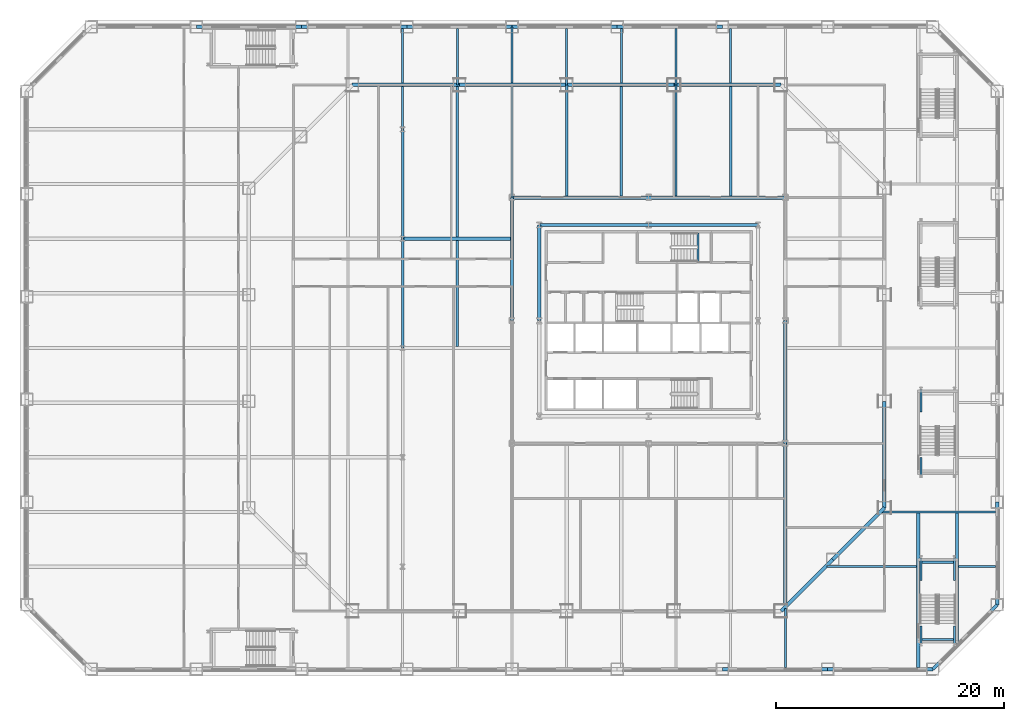
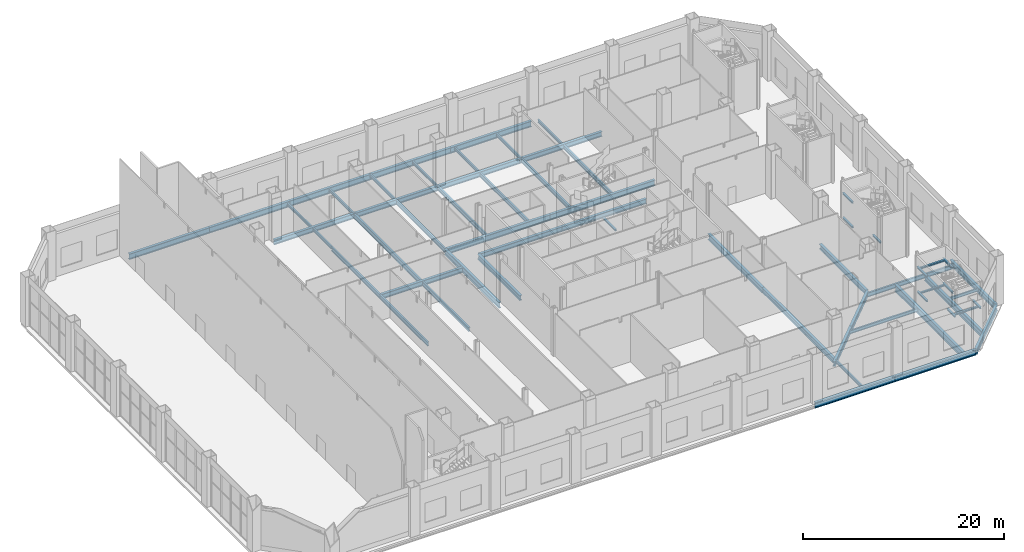
# One storey, part 12 of 31: 61 beams.
"""IFC4 building model written with IfcOpenShell, lengths in metres."""

from ifc_helpers import new_model, si_unit, direction, frame, origin, origin_2d, place, context, subcontext, project, spatial, i_section, extrude, material, material_profile, profile_set, type_object, element, save


model = new_model("IFC4")

# Units and contexts
model_context = context("Model", 3, precision=1e-05, world=origin(), true_north=direction((0.0, 1.0)))
body_context = subcontext(model_context, "Body", "Model", "MODEL_VIEW")
ifc_project = project(units=[si_unit("LENGTHUNIT", "METRE"), si_unit("AREAUNIT", "SQUARE_METRE"), si_unit("VOLUMEUNIT", "CUBIC_METRE"), si_unit("PLANEANGLEUNIT", "RADIAN"), si_unit("MASSUNIT", "GRAM", prefix="KILO")], contexts=[model_context])

# Site, building, storey
site_placement = place(None, origin())
site = spatial("IfcSite", under=ifc_project, at=site_placement, CompositionType="ELEMENT")
building_placement = place(site_placement, origin())
building = spatial("IfcBuilding", under=site, at=building_placement, Name="Cairn Pilgrim Tower", CompositionType="ELEMENT")
storey_placement = place(building_placement, frame((0.0, 0.0, 9.0)))
storey = spatial("IfcBuildingStorey", under=building, at=storey_placement, Name="L01", CompositionType="ELEMENT", Elevation=9.0)

# Beams
ifc_material = material(Name="Structural steel S355J2", Category="steel")
ifc_material_profile_1 = material_profile(ifc_material, i_section(OverallWidth=0.300048828125, OverallDepth=0.60009765625, WebThickness=0.015380859375, FlangeThickness=0.030029296875, FilletRadius=0.027099609375, at=origin_2d()), Name="HEB 600")
ifc_profile_set_1 = profile_set([ifc_material_profile_1], Name="Structural steel S355J2")
beam_type_1 = type_object("IfcBeamType", Name="PODIUM BEAM HE 600 B", PredefinedType="BEAM", material=ifc_profile_set_1)
beam_1_placement = place(storey_placement, frame((19.199951171875, -22.5751953125, -0.5), z_axis=(0.0, 1.0, 0.0), x_axis=(-1.0, 0.0, 0.0)))
element("IfcBeam", 1, at=beam_1_placement, inside=storey, type_object=beam_type_1, Name="PODIUM BEAM PB-HE600B", PredefinedType="BEAM", context=body_context, shape_type="SweptSolid", body=[
    extrude(i_section(OverallWidth=0.300048828125, OverallDepth=0.60009765625, WebThickness=0.015380859375, FlangeThickness=0.030029296875, FilletRadius=0.027099609375, at=origin_2d()), origin(), (0.0, 0.0, 1.0), 14.17529296875),
])
ifc_material_profile_2 = material_profile(ifc_material, i_section(OverallWidth=0.169921875, OverallDepth=0.360107421875, WebThickness=0.008056640625, FlangeThickness=0.0126953125, FilletRadius=0.01806640625, at=origin_2d()), Name="IPE 360")
ifc_profile_set_2 = profile_set([ifc_material_profile_2], Name="Structural steel S355J2")
beam_type_2 = type_object("IfcBeamType", Name="PODIUM BEAM IPE 360", PredefinedType="BEAM", material=ifc_profile_set_2)
beam_2_placement = place(storey_placement, frame((-14.39990234375, 19.199951171875, -0.3798828125), z_axis=(0.0, 1.0, 0.0), x_axis=(-1.0, 0.0, 0.0)))
element("IfcBeam", 2, at=beam_2_placement, inside=storey, type_object=beam_type_2, Name="PODIUM BEAM PB-IPE360", PredefinedType="BEAM", context=body_context, shape_type="SweptSolid", body=[
    extrude(i_section(OverallWidth=0.169921875, OverallDepth=0.360107421875, WebThickness=0.008056640625, FlangeThickness=0.0126953125, FilletRadius=0.01806640625, at=origin_2d()), origin(), (0.0, 0.0, 1.0), 3.748046875),
])
beam_3_placement = place(storey_placement, frame((34.422119140625, -19.199951171875, -0.3798828125), z_axis=(1.0, 0.0, 0.0), x_axis=(0.0, 1.0, 0.0)))
element("IfcBeam", 3, at=beam_3_placement, inside=storey, type_object=beam_type_2, Name="PODIUM BEAM PB-IPE360", PredefinedType="BEAM", context=body_context, shape_type="SweptSolid", body=[
    extrude(i_section(OverallWidth=0.169921875, OverallDepth=0.360107421875, WebThickness=0.008056640625, FlangeThickness=0.0126953125, FilletRadius=0.01806640625, at=origin_2d()), origin(), (0.0, 0.0, 1.0), 3.225830078125),
])
beam_4_placement = place(storey_placement, frame((-14.39990234375, 23.251953125, -0.3798828125), z_axis=(0.0, 1.0, 0.0), x_axis=(-1.0, 0.0, 0.0)))
element("IfcBeam", 4, at=beam_4_placement, inside=storey, type_object=beam_type_2, Name="PODIUM BEAM PB-IPE360", PredefinedType="BEAM", context=body_context, shape_type="SweptSolid", body=[
    extrude(i_section(OverallWidth=0.169921875, OverallDepth=0.360107421875, WebThickness=0.008056640625, FlangeThickness=0.0126953125, FilletRadius=0.01806640625, at=origin_2d()), origin(), (0.0, 0.0, 1.0), 4.796142578125),
])
for number, where, z_axis, x_axis, name in (
    (5, (-9.60009765625, 23.10009765625, -0.3798828125), (0.0, 1.0, 0.0), (-1.0, 0.0, 0.0), "PODIUM BEAM PB-IPE360"),
    (6, (-4.800048828125, 23.251953125, -0.3798828125), (0.0, 1.0, 0.0), (-1.0, 0.0, 0.0), "PODIUM BEAM PB-IPE360"),
    (7, (0.0, 23.10009765625, -0.3798828125), (0.0, 1.0, 0.0), (-1.0, 0.0, 0.0), "PODIUM BEAM PB-IPE360"),
):
    element("IfcBeam", number, at=place(storey_placement, frame(where, z_axis=z_axis, x_axis=x_axis)), inside=storey, type_object=beam_type_2, Name=name, PredefinedType="BEAM", context=body_context, shape_type="SweptSolid", body=[
        extrude(i_section(OverallWidth=0.169921875, OverallDepth=0.360107421875, WebThickness=0.008056640625, FlangeThickness=0.0126953125, FilletRadius=0.01806640625, at=origin_2d()), origin(), (0.0, 0.0, 1.0), 4.947998046875),
    ])
beam_5_placement = place(storey_placement, frame((4.800048828125, 23.251953125, -0.3798828125), z_axis=(0.0, 1.0, 0.0), x_axis=(-1.0, 0.0, 0.0)))
element("IfcBeam", 8, at=beam_5_placement, inside=storey, type_object=beam_type_2, Name="PODIUM BEAM PB-IPE360", PredefinedType="BEAM", context=body_context, shape_type="SweptSolid", body=[
    extrude(i_section(OverallWidth=0.169921875, OverallDepth=0.360107421875, WebThickness=0.008056640625, FlangeThickness=0.0126953125, FilletRadius=0.01806640625, at=origin_2d()), origin(), (0.0, 0.0, 1.0), 4.796142578125),
])
beam_6_placement = place(storey_placement, frame((9.60009765625, 23.10009765625, -0.3798828125), z_axis=(0.0, 1.0, 0.0), x_axis=(-1.0, 0.0, 0.0)))
element("IfcBeam", 9, at=beam_6_placement, inside=storey, type_object=beam_type_2, Name="PODIUM BEAM PB-IPE360", PredefinedType="BEAM", context=body_context, shape_type="SweptSolid", body=[
    extrude(i_section(OverallWidth=0.169921875, OverallDepth=0.360107421875, WebThickness=0.008056640625, FlangeThickness=0.0126953125, FilletRadius=0.01806640625, at=origin_2d()), origin(), (0.0, 0.0, 1.0), 4.947998046875),
])
beam_7_placement = place(storey_placement, frame((14.39990234375, 23.251953125, -0.3798828125), z_axis=(0.0, 1.0, 0.0), x_axis=(-1.0, 0.0, 0.0)))
element("IfcBeam", 10, at=beam_7_placement, inside=storey, type_object=beam_type_2, Name="PODIUM BEAM PB-IPE360", PredefinedType="BEAM", context=body_context, shape_type="SweptSolid", body=[
    extrude(i_section(OverallWidth=0.169921875, OverallDepth=0.360107421875, WebThickness=0.008056640625, FlangeThickness=0.0126953125, FilletRadius=0.01806640625, at=origin_2d()), origin(), (0.0, 0.0, 1.0), 4.796142578125),
])
beam_8_placement = place(storey_placement, frame((19.199951171875, -28.048095703125, -0.3798828125), z_axis=(0.0, 1.0, 0.0), x_axis=(-1.0, 0.0, 0.0)))
element("IfcBeam", 11, at=beam_8_placement, inside=storey, type_object=beam_type_2, Name="PODIUM BEAM PB-IPE360", PredefinedType="BEAM", context=body_context, shape_type="SweptSolid", body=[
    extrude(i_section(OverallWidth=0.169921875, OverallDepth=0.360107421875, WebThickness=0.008056640625, FlangeThickness=0.0126953125, FilletRadius=0.01806640625, at=origin_2d()), origin(), (0.0, 0.0, 1.0), 5.1689453125),
])
ifc_material_profile_3 = material_profile(ifc_material, i_section(OverallWidth=0.179931640625, OverallDepth=0.39990234375, WebThickness=0.008544921875, FlangeThickness=0.013427734375, FilletRadius=0.02099609375, at=origin_2d()), Name="IPE 400")
ifc_profile_set_3 = profile_set([ifc_material_profile_3], Name="Structural steel S355J2")
beam_type_3 = type_object("IfcBeamType", Name="PODIUM BEAM IPE 400", PredefinedType="BEAM", material=ifc_profile_set_3)
beam_9_placement = place(storey_placement, frame((22.879150390625, -19.199951171875, -0.39990234375), z_axis=(1.0, 0.0, 0.0), x_axis=(0.0, 1.0, 0.0)))
element("IfcBeam", 12, at=beam_9_placement, inside=storey, type_object=beam_type_3, Name="PODIUM BEAM PB-IPE400", PredefinedType="BEAM", context=body_context, shape_type="SweptSolid", body=[
    extrude(i_section(OverallWidth=0.179931640625, OverallDepth=0.39990234375, WebThickness=0.008544921875, FlangeThickness=0.013427734375, FilletRadius=0.02099609375, at=origin_2d()), origin(), (0.0, 0.0, 1.0), 7.848876953125),
])
ifc_material_profile_4 = material_profile(ifc_material, i_section(OverallWidth=0.199951171875, OverallDepth=0.5, WebThickness=0.01025390625, FlangeThickness=0.01611328125, FilletRadius=0.02099609375, at=origin_2d()), Name="IPE 500")
ifc_profile_set_4 = profile_set([ifc_material_profile_4], Name="Structural steel S355J2")
beam_type_4 = type_object("IfcBeamType", Name="PODIUM BEAM IPE 500", PredefinedType="BEAM", material=ifc_profile_set_4)
beam_10_placement = place(storey_placement, frame((-14.39990234375, 0.0, -0.449951171875), z_axis=(0.0, 1.0, 0.0), x_axis=(-1.0, 0.0, 0.0)))
element("IfcBeam", 13, at=beam_10_placement, inside=storey, type_object=beam_type_4, Name="PODIUM BEAM PB-IPE500", PredefinedType="BEAM", context=body_context, shape_type="SweptSolid", body=[
    extrude(i_section(OverallWidth=0.199951171875, OverallDepth=0.5, WebThickness=0.01025390625, FlangeThickness=0.01611328125, FilletRadius=0.02099609375, at=origin_2d()), origin(), (0.0, 0.0, 1.0), 9.60009765625),
])
beam_11_placement = place(storey_placement, frame((-14.39990234375, 9.60009765625, -0.449951171875), z_axis=(0.0, 1.0, 0.0), x_axis=(-1.0, 0.0, 0.0)))
element("IfcBeam", 14, at=beam_11_placement, inside=storey, type_object=beam_type_4, Name="PODIUM BEAM PB-IPE500", PredefinedType="BEAM", context=body_context, shape_type="SweptSolid", body=[
    extrude(i_section(OverallWidth=0.199951171875, OverallDepth=0.5, WebThickness=0.01025390625, FlangeThickness=0.01611328125, FilletRadius=0.02099609375, at=origin_2d()), origin(), (0.0, 0.0, 1.0), 9.599853515625),
])
beam_12_placement = place(storey_placement, frame((-9.60009765625, 0.152099609375, -0.449951171875), z_axis=(0.0, 1.0, 0.0), x_axis=(-1.0, 0.0, 0.0)))
element("IfcBeam", 15, at=beam_12_placement, inside=storey, type_object=beam_type_4, Name="PODIUM BEAM PB-IPE500", PredefinedType="BEAM", context=body_context, shape_type="SweptSolid", body=[
    extrude(i_section(OverallWidth=0.199951171875, OverallDepth=0.5, WebThickness=0.01025390625, FlangeThickness=0.01611328125, FilletRadius=0.02099609375, at=origin_2d()), origin(), (0.0, 0.0, 1.0), 9.2958984375),
])
for number, where, z_axis, x_axis, name in (
    (16, (-4.800048828125, 13.199951171875, -0.449951171875), (0.0, 1.0, 0.0), (-1.0, 0.0, 0.0), "PODIUM BEAM PB-IPE500"),
    (17, (0.0, 13.35205078125, -0.449951171875), (0.0, 1.0, 0.0), (-1.0, 0.0, 0.0), "PODIUM BEAM PB-IPE500"),
):
    element("IfcBeam", number, at=place(storey_placement, frame(where, z_axis=z_axis, x_axis=x_axis)), inside=storey, type_object=beam_type_4, Name=name, PredefinedType="BEAM", context=body_context, shape_type="SweptSolid", body=[
        extrude(i_section(OverallWidth=0.199951171875, OverallDepth=0.5, WebThickness=0.01025390625, FlangeThickness=0.01611328125, FilletRadius=0.02099609375, at=origin_2d()), origin(), (0.0, 0.0, 1.0), 9.748046875),
    ])
beam_13_placement = place(storey_placement, frame((4.800048828125, 13.35205078125, -0.449951171875), z_axis=(0.0, 1.0, 0.0), x_axis=(-1.0, 0.0, 0.0)))
element("IfcBeam", 18, at=beam_13_placement, inside=storey, type_object=beam_type_4, Name="PODIUM BEAM PB-IPE500", PredefinedType="BEAM", context=body_context, shape_type="SweptSolid", body=[
    extrude(i_section(OverallWidth=0.199951171875, OverallDepth=0.5, WebThickness=0.01025390625, FlangeThickness=0.01611328125, FilletRadius=0.02099609375, at=origin_2d()), origin(), (0.0, 0.0, 1.0), 9.595947265625),
])
beam_14_placement = place(storey_placement, frame((9.60009765625, 13.35205078125, -0.449951171875), z_axis=(0.0, 1.0, 0.0), x_axis=(-1.0, 0.0, 0.0)))
element("IfcBeam", 19, at=beam_14_placement, inside=storey, type_object=beam_type_4, Name="PODIUM BEAM PB-IPE500", PredefinedType="BEAM", context=body_context, shape_type="SweptSolid", body=[
    extrude(i_section(OverallWidth=0.199951171875, OverallDepth=0.5, WebThickness=0.01025390625, FlangeThickness=0.01611328125, FilletRadius=0.02099609375, at=origin_2d()), origin(), (0.0, 0.0, 1.0), 9.748046875),
])
beam_15_placement = place(storey_placement, frame((14.39990234375, 13.35205078125, -0.449951171875), z_axis=(0.0, 1.0, 0.0), x_axis=(-1.0, 0.0, 0.0)))
element("IfcBeam", 20, at=beam_15_placement, inside=storey, type_object=beam_type_4, Name="PODIUM BEAM PB-IPE500", PredefinedType="BEAM", context=body_context, shape_type="SweptSolid", body=[
    extrude(i_section(OverallWidth=0.199951171875, OverallDepth=0.5, WebThickness=0.01025390625, FlangeThickness=0.01611328125, FilletRadius=0.02099609375, at=origin_2d()), origin(), (0.0, 0.0, 1.0), 9.595947265625),
])
beam_16_placement = place(storey_placement, frame((27.67919921875, -14.39990234375, -0.449951171875), z_axis=(1.0, 0.0, 0.0), x_axis=(0.0, 1.0, 0.0)))
element("IfcBeam", 21, at=beam_16_placement, inside=storey, type_object=beam_type_4, Name="PODIUM BEAM PB-IPE500", PredefinedType="BEAM", context=body_context, shape_type="SweptSolid", body=[
    extrude(i_section(OverallWidth=0.199951171875, OverallDepth=0.5, WebThickness=0.01025390625, FlangeThickness=0.01611328125, FilletRadius=0.02099609375, at=origin_2d()), origin(), (0.0, 0.0, 1.0), 9.96875),
])
ifc_material_profile_5 = material_profile(ifc_material, i_section(OverallWidth=0.219970703125, OverallDepth=0.60009765625, WebThickness=0.011962890625, FlangeThickness=0.01904296875, FilletRadius=0.02392578125, at=origin_2d()), Name="IPE 600")
ifc_profile_set_5 = profile_set([ifc_material_profile_5], Name="Structural steel S355J2")
beam_type_5 = type_object("IfcBeamType", Name="PODIUM BEAM IPE 600", PredefinedType="BEAM", material=ifc_profile_set_5)
beam_17_placement = place(storey_placement, frame((-9.60009765625, 9.751953125, -0.5), z_axis=(0.0, 1.0, 0.0), x_axis=(-1.0, 0.0, 0.0)))
element("IfcBeam", 22, at=beam_17_placement, inside=storey, type_object=beam_type_5, Name="PODIUM BEAM PB-IPE600", PredefinedType="BEAM", context=body_context, shape_type="SweptSolid", body=[
    extrude(i_section(OverallWidth=0.219970703125, OverallDepth=0.60009765625, WebThickness=0.011962890625, FlangeThickness=0.01904296875, FilletRadius=0.02392578125, at=origin_2d()), origin(), (0.0, 0.0, 1.0), 13.34814453125),
])
ifc_material_profile_6 = material_profile(ifc_material, i_section(OverallWidth=0.300048828125, OverallDepth=0.699951171875, WebThickness=0.01708984375, FlangeThickness=0.031982421875, FilletRadius=0.027099609375, at=origin_2d()), Name="HEB 700")
ifc_profile_set_6 = profile_set([ifc_material_profile_6], Name="Structural steel S355J2")
beam_type_6 = type_object("IfcBeamType", Name="PODIUM EDGE GIRDER HE 700 B", PredefinedType="BEAM", material=ifc_profile_set_6)
beam_18_placement = place(storey_placement, frame((13.67578125, -28.199951171875, -0.550048828125), z_axis=(1.0, 0.0, 0.0), x_axis=(0.0, 1.0, 0.0)))
element("IfcBeam", 23, at=beam_18_placement, inside=storey, type_object=beam_type_6, Name="PODIUM EDGE GIRDER PE-HE700B", PredefinedType="BEAM", context=body_context, shape_type="SweptSolid", body=[
    extrude(i_section(OverallWidth=0.300048828125, OverallDepth=0.699951171875, WebThickness=0.01708984375, FlangeThickness=0.031982421875, FilletRadius=0.027099609375, at=origin_2d()), origin(), (0.0, 0.0, 1.0), 9.23779296875),
])
beam_19_placement = place(storey_placement, frame((22.91357421875, -28.199951171875, -0.550048828125), z_axis=(1.0, 0.0, 0.0), x_axis=(0.0, 1.0, 0.0)))
element("IfcBeam", 24, at=beam_19_placement, inside=storey, type_object=beam_type_6, Name="PODIUM EDGE GIRDER PE-HE700B", PredefinedType="BEAM", context=body_context, shape_type="SweptSolid", body=[
    extrude(i_section(OverallWidth=0.300048828125, OverallDepth=0.699951171875, WebThickness=0.01708984375, FlangeThickness=0.031982421875, FilletRadius=0.027099609375, at=origin_2d()), origin(), (0.0, 0.0, 1.0), 9.238037109375),
])
beam_20_placement = place(storey_placement, frame((32.151611328125, -28.199951171875, -0.550048828125), z_axis=(0.707106781187, 0.707106781187, 0.0), x_axis=(-0.707106781187, 0.707106781187, 0.0)))
element("IfcBeam", 25, at=beam_20_placement, inside=storey, type_object=beam_type_6, Name="PODIUM EDGE GIRDER PE-HE700B", PredefinedType="BEAM", context=body_context, shape_type="SweptSolid", body=[
    extrude(i_section(OverallWidth=0.300048828125, OverallDepth=0.699951171875, WebThickness=0.01708984375, FlangeThickness=0.031982421875, FilletRadius=0.027099609375, at=origin_2d()), origin(), (0.0, 0.0, 1.0), 7.988037109375),
])
beam_21_placement = place(storey_placement, frame((37.800048828125, -22.551513671875, -0.550048828125), z_axis=(0.0, 1.0, 0.0), x_axis=(-1.0, 0.0, 0.0)))
element("IfcBeam", 26, at=beam_21_placement, inside=storey, type_object=beam_type_6, Name="PODIUM EDGE GIRDER PE-HE700B", PredefinedType="BEAM", context=body_context, shape_type="SweptSolid", body=[
    extrude(i_section(OverallWidth=0.300048828125, OverallDepth=0.699951171875, WebThickness=0.01708984375, FlangeThickness=0.031982421875, FilletRadius=0.027099609375, at=origin_2d()), origin(), (0.0, 0.0, 1.0), 9.0205078125),
])
beam_22_placement = place(storey_placement, frame((13.67578125, 28.199951171875, -0.550048828125), z_axis=(-1.0, 0.0, 0.0), x_axis=(0.0, -1.0, 0.0)))
element("IfcBeam", 27, at=beam_22_placement, inside=storey, type_object=beam_type_6, Name="PODIUM EDGE GIRDER PE-HE700B", PredefinedType="BEAM", context=body_context, shape_type="SweptSolid", body=[
    extrude(i_section(OverallWidth=0.300048828125, OverallDepth=0.699951171875, WebThickness=0.01708984375, FlangeThickness=0.031982421875, FilletRadius=0.027099609375, at=origin_2d()), origin(), (0.0, 0.0, 1.0), 9.23779296875),
])
beam_23_placement = place(storey_placement, frame((4.43798828125, 28.199951171875, -0.550048828125), z_axis=(-1.0, 0.0, 0.0), x_axis=(0.0, -1.0, 0.0)))
element("IfcBeam", 28, at=beam_23_placement, inside=storey, type_object=beam_type_6, Name="PODIUM EDGE GIRDER PE-HE700B", PredefinedType="BEAM", context=body_context, shape_type="SweptSolid", body=[
    extrude(i_section(OverallWidth=0.300048828125, OverallDepth=0.699951171875, WebThickness=0.01708984375, FlangeThickness=0.031982421875, FilletRadius=0.027099609375, at=origin_2d()), origin(), (0.0, 0.0, 1.0), 9.238037109375),
])
for number, where, z_axis, x_axis, name in (
    (29, (-4.800048828125, 28.199951171875, -0.550048828125), (-1.0, 0.0, 0.0), (0.0, -1.0, 0.0), "PODIUM EDGE GIRDER PE-HE700B"),
    (30, (-14.037841796875, 28.199951171875, -0.550048828125), (-1.0, 0.0, 0.0), (0.0, -1.0, 0.0), "PODIUM EDGE GIRDER PE-HE700B"),
):
    element("IfcBeam", number, at=place(storey_placement, frame(where, z_axis=z_axis, x_axis=x_axis)), inside=storey, type_object=beam_type_6, Name=name, PredefinedType="BEAM", context=body_context, shape_type="SweptSolid", body=[
        extrude(i_section(OverallWidth=0.300048828125, OverallDepth=0.699951171875, WebThickness=0.01708984375, FlangeThickness=0.031982421875, FilletRadius=0.027099609375, at=origin_2d()), origin(), (0.0, 0.0, 1.0), 9.23779296875),
    ])
beam_24_placement = place(storey_placement, frame((-23.275634765625, 28.199951171875, -0.550048828125), z_axis=(-1.0, 0.0, 0.0), x_axis=(0.0, -1.0, 0.0)))
element("IfcBeam", 31, at=beam_24_placement, inside=storey, type_object=beam_type_6, Name="PODIUM EDGE GIRDER PE-HE700B", PredefinedType="BEAM", context=body_context, shape_type="SweptSolid", body=[
    extrude(i_section(OverallWidth=0.300048828125, OverallDepth=0.699951171875, WebThickness=0.01708984375, FlangeThickness=0.031982421875, FilletRadius=0.027099609375, at=origin_2d()), origin(), (0.0, 0.0, 1.0), 9.238037109375),
])
ifc_material_profile_7 = material_profile(ifc_material, i_section(OverallWidth=0.300048828125, OverallDepth=0.60009765625, WebThickness=0.015380859375, FlangeThickness=0.030029296875, FilletRadius=0.027099609375, at=origin_2d()), Name="HEB 600")
ifc_profile_set_7 = profile_set([ifc_material_profile_7], Name="Structural steel S355J2")
beam_type_7 = type_object("IfcBeamType", Name="PODIUM GIRDER HE 600 B", PredefinedType="BEAM", material=ifc_profile_set_7)
for number, where, z_axis, x_axis, name in (
    (32, (18.8271484375, -23.10009765625, -0.5), (0.707106781187, 0.707106781187, 0.0), (-0.707106781187, 0.707106781187, 0.0), "PODIUM GIRDER PG-HE600B"),
    (33, (23.363525390625, -18.563720703125, -0.5), (0.707087753759, 0.707125808102, 0.0), (-0.707125808102, 0.707087753759, 0.0), "PODIUM GIRDER PG-HE600B"),
):
    element("IfcBeam", number, at=place(storey_placement, frame(where, z_axis=z_axis, x_axis=x_axis)), inside=storey, type_object=beam_type_7, Name=name, PredefinedType="BEAM", context=body_context, shape_type="SweptSolid", body=[
        extrude(i_section(OverallWidth=0.300048828125, OverallDepth=0.60009765625, WebThickness=0.015380859375, FlangeThickness=0.030029296875, FilletRadius=0.027099609375, at=origin_2d()), origin(), (0.0, 0.0, 1.0), 6.41552734375),
    ])
beam_25_placement = place(storey_placement, frame((27.89990234375, -14.027099609375, -0.5), z_axis=(0.0, 1.0, 0.0), x_axis=(-1.0, 0.0, 0.0)))
element("IfcBeam", 34, at=beam_25_placement, inside=storey, type_object=beam_type_7, Name="PODIUM GIRDER PG-HE600B", PredefinedType="BEAM", context=body_context, shape_type="SweptSolid", body=[
    extrude(i_section(OverallWidth=0.300048828125, OverallDepth=0.60009765625, WebThickness=0.015380859375, FlangeThickness=0.030029296875, FilletRadius=0.027099609375, at=origin_2d()), origin(), (0.0, 0.0, 1.0), 9.351318359375),
])
for number, where, z_axis, x_axis, name in (
    (35, (18.8271484375, 23.10009765625, -0.5), (-1.0, 0.0, 0.0), (0.0, -1.0, 0.0), "PODIUM GIRDER PG-HE600B"),
    (36, (9.41357421875, 23.10009765625, -0.5), (-1.0, 0.0, 0.0), (0.0, -1.0, 0.0), "PODIUM GIRDER PG-HE600B"),
    (37, (0.0, 23.10009765625, -0.5), (-1.0, 0.0, 0.0), (0.0, -1.0, 0.0), "PODIUM GIRDER PG-HE600B"),
    (38, (-9.41357421875, 23.10009765625, -0.5), (-1.0, 0.0, 0.0), (0.0, -1.0, 0.0), "PODIUM GIRDER PG-HE600B"),
):
    element("IfcBeam", number, at=place(storey_placement, frame(where, z_axis=z_axis, x_axis=x_axis)), inside=storey, type_object=beam_type_7, Name=name, PredefinedType="BEAM", context=body_context, shape_type="SweptSolid", body=[
        extrude(i_section(OverallWidth=0.300048828125, OverallDepth=0.60009765625, WebThickness=0.015380859375, FlangeThickness=0.030029296875, FilletRadius=0.027099609375, at=origin_2d()), origin(), (0.0, 0.0, 1.0), 9.41357421875),
    ])
beam_26_placement = place(storey_placement, frame((16.800048828125, 10.800048828125, -0.5), z_axis=(-1.0, 0.0, 0.0), x_axis=(0.0, -1.0, 0.0)))
element("IfcBeam", 39, at=beam_26_placement, inside=storey, type_object=beam_type_7, Name="PODIUM GIRDER PG-HE600B", PredefinedType="BEAM", context=body_context, shape_type="SweptSolid", body=[
    extrude(i_section(OverallWidth=0.300048828125, OverallDepth=0.60009765625, WebThickness=0.015380859375, FlangeThickness=0.030029296875, FilletRadius=0.027099609375, at=origin_2d()), origin(), (0.0, 0.0, 1.0), 9.60009765625),
])
beam_27_placement = place(storey_placement, frame((7.199951171875, 10.800048828125, -0.5), z_axis=(-1.0, 0.0, 0.0), x_axis=(0.0, -1.0, 0.0)))
element("IfcBeam", 40, at=beam_27_placement, inside=storey, type_object=beam_type_7, Name="PODIUM GIRDER PG-HE600B", PredefinedType="BEAM", context=body_context, shape_type="SweptSolid", body=[
    extrude(i_section(OverallWidth=0.300048828125, OverallDepth=0.60009765625, WebThickness=0.015380859375, FlangeThickness=0.030029296875, FilletRadius=0.027099609375, at=origin_2d()), origin(), (0.0, 0.0, 1.0), 9.599853515625),
])
beam_28_placement = place(storey_placement, frame((-2.39990234375, 10.800048828125, -0.5), z_axis=(0.0, -1.0, 0.0), x_axis=(1.0, 0.0, 0.0)))
element("IfcBeam", 41, at=beam_28_placement, inside=storey, type_object=beam_type_7, Name="PODIUM GIRDER PG-HE600B", PredefinedType="BEAM", context=body_context, shape_type="SweptSolid", body=[
    extrude(i_section(OverallWidth=0.300048828125, OverallDepth=0.60009765625, WebThickness=0.015380859375, FlangeThickness=0.030029296875, FilletRadius=0.027099609375, at=origin_2d()), origin(), (0.0, 0.0, 1.0), 8.400146484375),
])
beam_29_placement = place(storey_placement, frame((-14.39990234375, 9.60009765625, -0.5), z_axis=(1.0, 0.0, 0.0), x_axis=(0.0, 1.0, 0.0)))
element("IfcBeam", 42, at=beam_29_placement, inside=storey, type_object=beam_type_7, Name="PODIUM GIRDER PG-HE600B", PredefinedType="BEAM", context=body_context, shape_type="SweptSolid", body=[
    extrude(i_section(OverallWidth=0.300048828125, OverallDepth=0.60009765625, WebThickness=0.015380859375, FlangeThickness=0.030029296875, FilletRadius=0.027099609375, at=origin_2d()), origin(), (0.0, 0.0, 1.0), 9.447998046875),
])
ifc_material_profile_8 = material_profile(ifc_material, i_section(OverallWidth=0.300048828125, OverallDepth=0.699951171875, WebThickness=0.01708984375, FlangeThickness=0.031982421875, FilletRadius=0.027099609375, at=origin_2d()), Name="HEB 700")
ifc_profile_set_8 = profile_set([ifc_material_profile_8], Name="Structural steel S355J2")
beam_type_8 = type_object("IfcBeamType", Name="PODIUM GIRDER HE 700 B", PredefinedType="BEAM", material=ifc_profile_set_8)
beam_30_placement = place(storey_placement, frame((19.199951171875, -8.39990234375, -0.550048828125), z_axis=(0.0, 1.0, 0.0), x_axis=(-1.0, 0.0, 0.0)))
element("IfcBeam", 43, at=beam_30_placement, inside=storey, type_object=beam_type_8, Name="PODIUM GIRDER PG-HE700B", PredefinedType="BEAM", context=body_context, shape_type="SweptSolid", body=[
    extrude(i_section(OverallWidth=0.300048828125, OverallDepth=0.699951171875, WebThickness=0.01708984375, FlangeThickness=0.031982421875, FilletRadius=0.027099609375, at=origin_2d()), origin(), (0.0, 0.0, 1.0), 10.7998046875),
])
for number, where, z_axis, x_axis, name in (
    (44, (19.199951171875, 13.199951171875, -0.550048828125), (-1.0, 0.0, 0.0), (0.0, -1.0, 0.0), "PODIUM GIRDER PG-HE700B"),
    (45, (7.199951171875, 13.199951171875, -0.550048828125), (-1.0, 0.0, 0.0), (0.0, -1.0, 0.0), "PODIUM GIRDER PG-HE700B"),
):
    element("IfcBeam", number, at=place(storey_placement, frame(where, z_axis=z_axis, x_axis=x_axis)), inside=storey, type_object=beam_type_8, Name=name, PredefinedType="BEAM", context=body_context, shape_type="SweptSolid", body=[
        extrude(i_section(OverallWidth=0.300048828125, OverallDepth=0.699951171875, WebThickness=0.01708984375, FlangeThickness=0.031982421875, FilletRadius=0.027099609375, at=origin_2d()), origin(), (0.0, 0.0, 1.0), 12.0),
    ])
beam_31_placement = place(storey_placement, frame((-4.800048828125, 13.199951171875, -0.550048828125), z_axis=(0.0, -1.0, 0.0), x_axis=(1.0, 0.0, 0.0)))
element("IfcBeam", 46, at=beam_31_placement, inside=storey, type_object=beam_type_8, Name="PODIUM GIRDER PG-HE700B", PredefinedType="BEAM", context=body_context, shape_type="SweptSolid", body=[
    extrude(i_section(OverallWidth=0.300048828125, OverallDepth=0.699951171875, WebThickness=0.01708984375, FlangeThickness=0.031982421875, FilletRadius=0.027099609375, at=origin_2d()), origin(), (0.0, 0.0, 1.0), 10.800048828125),
])
beam_32_placement = place(storey_placement, frame((34.27001953125, -25.929443359375, -0.550048828125), z_axis=(0.0, 1.0, 0.0), x_axis=(-1.0, 0.0, 0.0)))
element("IfcBeam", 47, at=beam_32_placement, inside=storey, type_object=beam_type_8, Name="PODIUM GIRDER PG-HE700B", PredefinedType="BEAM", context=body_context, shape_type="SweptSolid", body=[
    extrude(i_section(OverallWidth=0.300048828125, OverallDepth=0.699951171875, WebThickness=0.01708984375, FlangeThickness=0.031982421875, FilletRadius=0.027099609375, at=origin_2d()), origin(), (0.0, 0.0, 1.0), 11.427490234375),
])
ifc_material_profile_9 = material_profile(ifc_material, i_section(OverallWidth=0.300048828125, OverallDepth=0.800048828125, WebThickness=0.017578125, FlangeThickness=0.032958984375, FilletRadius=0.030029296875, at=origin_2d()), Name="HEB 800")
ifc_profile_set_9 = profile_set([ifc_material_profile_9], Name="Structural steel S355J2")
beam_type_9 = type_object("IfcBeamType", Name="PODIUM GIRDER HE 800 B", PredefinedType="BEAM", material=ifc_profile_set_9)
beam_33_placement = place(storey_placement, frame((30.8798828125, -28.048095703125, -0.60009765625), z_axis=(0.0, 1.0, 0.0), x_axis=(-1.0, 0.0, 0.0)))
element("IfcBeam", 48, at=beam_33_placement, inside=storey, type_object=beam_type_9, Name="PODIUM GIRDER PG-HE800B", PredefinedType="BEAM", context=body_context, shape_type="SweptSolid", body=[
    extrude(i_section(OverallWidth=0.300048828125, OverallDepth=0.800048828125, WebThickness=0.017578125, FlangeThickness=0.032958984375, FilletRadius=0.030029296875, at=origin_2d()), origin(), (0.0, 0.0, 1.0), 13.546142578125),
])
ifc_material_profile_10 = material_profile(ifc_material, i_section(OverallWidth=0.199951171875, OverallDepth=0.199951171875, WebThickness=0.009033203125, FlangeThickness=0.014892578125, FilletRadius=0.01806640625, at=origin_2d()), Name="HE 200 B")
ifc_profile_set_10 = profile_set([ifc_material_profile_10], Name="Structural steel S355J2")
beam_type_10 = type_object("IfcBeamType", Name="STAIR LANDING BEAM HE 200 B", PredefinedType="BEAM", material=ifc_profile_set_10)
for number, where, z_axis, x_axis, name in (
    (49, (31.10498046875, -18.4599609375, 1.199951171875), (0.0, -1.0, 0.0), (1.0, 0.0, 0.0), "STAIR LANDING BEAM LD-HE200B"),
    (50, (34.044921875, -18.4599609375, 1.199951171875), (0.0, -1.0, 0.0), (1.0, 0.0, 0.0), "STAIR LANDING BEAM LD-HE200B"),
):
    element("IfcBeam", number, at=place(storey_placement, frame(where, z_axis=z_axis, x_axis=x_axis)), inside=storey, type_object=beam_type_10, Name=name, PredefinedType="BEAM", context=body_context, shape_type="SweptSolid", body=[
        extrude(i_section(OverallWidth=0.199951171875, OverallDepth=0.199951171875, WebThickness=0.009033203125, FlangeThickness=0.014892578125, FilletRadius=0.01806640625, at=origin_2d()), origin(), (0.0, 0.0, 1.0), 1.945068359375),
    ])
beam_34_placement = place(storey_placement, frame((31.205078125, -18.804931640625, 1.199951171875), z_axis=(1.0, 0.0, 0.0), x_axis=(0.0, 1.0, 0.0)))
element("IfcBeam", 51, at=beam_34_placement, inside=storey, type_object=beam_type_10, Name="STAIR LANDING BEAM LD-HE200B", PredefinedType="BEAM", context=body_context, shape_type="SweptSolid", body=[
    extrude(i_section(OverallWidth=0.199951171875, OverallDepth=0.199951171875, WebThickness=0.009033203125, FlangeThickness=0.014892578125, FilletRadius=0.01806640625, at=origin_2d()), origin(), (0.0, 0.0, 1.0), 2.739990234375),
])
for number, where, z_axis, x_axis, name in (
    (52, (31.10498046875, -25.93994140625, 2.699951171875), (0.0, 1.0, 0.0), (-1.0, 0.0, 0.0), "STAIR LANDING BEAM LD-HE200B"),
    (53, (34.044921875, -25.93994140625, 2.699951171875), (0.0, 1.0, 0.0), (-1.0, 0.0, 0.0), "STAIR LANDING BEAM LD-HE200B"),
):
    element("IfcBeam", number, at=place(storey_placement, frame(where, z_axis=z_axis, x_axis=x_axis)), inside=storey, type_object=beam_type_10, Name=name, PredefinedType="BEAM", context=body_context, shape_type="SweptSolid", body=[
        extrude(i_section(OverallWidth=0.199951171875, OverallDepth=0.199951171875, WebThickness=0.009033203125, FlangeThickness=0.014892578125, FilletRadius=0.01806640625, at=origin_2d()), origin(), (0.0, 0.0, 1.0), 1.544921875),
    ])
beam_35_placement = place(storey_placement, frame((31.205078125, -25.594970703125, 2.699951171875), z_axis=(1.0, 0.0, 0.0), x_axis=(0.0, 1.0, 0.0)))
element("IfcBeam", 54, at=beam_35_placement, inside=storey, type_object=beam_type_10, Name="STAIR LANDING BEAM LD-HE200B", PredefinedType="BEAM", context=body_context, shape_type="SweptSolid", body=[
    extrude(i_section(OverallWidth=0.199951171875, OverallDepth=0.199951171875, WebThickness=0.009033203125, FlangeThickness=0.014892578125, FilletRadius=0.01806640625, at=origin_2d()), origin(), (0.0, 0.0, 1.0), 2.739990234375),
])
for number, where, z_axis, x_axis, name in (
    (55, (31.10498046875, -18.4599609375, 4.199951171875), (0.0, -1.0, 0.0), (1.0, 0.0, 0.0), "STAIR LANDING BEAM LD-HE200B"),
    (56, (34.044921875, -18.4599609375, 4.199951171875), (0.0, -1.0, 0.0), (1.0, 0.0, 0.0), "STAIR LANDING BEAM LD-HE200B"),
):
    element("IfcBeam", number, at=place(storey_placement, frame(where, z_axis=z_axis, x_axis=x_axis)), inside=storey, type_object=beam_type_10, Name=name, PredefinedType="BEAM", context=body_context, shape_type="SweptSolid", body=[
        extrude(i_section(OverallWidth=0.199951171875, OverallDepth=0.199951171875, WebThickness=0.009033203125, FlangeThickness=0.014892578125, FilletRadius=0.01806640625, at=origin_2d()), origin(), (0.0, 0.0, 1.0), 1.945068359375),
    ])
beam_36_placement = place(storey_placement, frame((31.205078125, -18.804931640625, 4.199951171875), z_axis=(1.0, 0.0, 0.0), x_axis=(0.0, 1.0, 0.0)))
element("IfcBeam", 57, at=beam_36_placement, inside=storey, type_object=beam_type_10, Name="STAIR LANDING BEAM LD-HE200B", PredefinedType="BEAM", context=body_context, shape_type="SweptSolid", body=[
    extrude(i_section(OverallWidth=0.199951171875, OverallDepth=0.199951171875, WebThickness=0.009033203125, FlangeThickness=0.014892578125, FilletRadius=0.01806640625, at=origin_2d()), origin(), (0.0, 0.0, 1.0), 2.739990234375),
])
beam_37_placement = place(storey_placement, frame((31.10498046875, -3.659912109375, 1.199951171875), z_axis=(0.0, -1.0, 0.0), x_axis=(1.0, 0.0, 0.0)))
element("IfcBeam", 58, at=beam_37_placement, inside=storey, type_object=beam_type_10, Name="STAIR LANDING BEAM LD-HE200B", PredefinedType="BEAM", context=body_context, shape_type="SweptSolid", body=[
    extrude(i_section(OverallWidth=0.199951171875, OverallDepth=0.199951171875, WebThickness=0.009033203125, FlangeThickness=0.014892578125, FilletRadius=0.01806640625, at=origin_2d()), origin(), (0.0, 0.0, 1.0), 1.945068359375),
])
beam_38_placement = place(storey_placement, frame((31.10498046875, -11.139892578125, 2.699951171875), z_axis=(0.0, 1.0, 0.0), x_axis=(-1.0, 0.0, 0.0)))
element("IfcBeam", 59, at=beam_38_placement, inside=storey, type_object=beam_type_10, Name="STAIR LANDING BEAM LD-HE200B", PredefinedType="BEAM", context=body_context, shape_type="SweptSolid", body=[
    extrude(i_section(OverallWidth=0.199951171875, OverallDepth=0.199951171875, WebThickness=0.009033203125, FlangeThickness=0.014892578125, FilletRadius=0.01806640625, at=origin_2d()), origin(), (0.0, 0.0, 1.0), 1.544921875),
])
beam_39_placement = place(storey_placement, frame((31.10498046875, -3.659912109375, 4.199951171875), z_axis=(0.0, -1.0, 0.0), x_axis=(1.0, 0.0, 0.0)))
element("IfcBeam", 60, at=beam_39_placement, inside=storey, type_object=beam_type_10, Name="STAIR LANDING BEAM LD-HE200B", PredefinedType="BEAM", context=body_context, shape_type="SweptSolid", body=[
    extrude(i_section(OverallWidth=0.199951171875, OverallDepth=0.199951171875, WebThickness=0.009033203125, FlangeThickness=0.014892578125, FilletRadius=0.01806640625, at=origin_2d()), origin(), (0.0, 0.0, 1.0), 1.945068359375),
])
beam_40_placement = place(storey_placement, frame((11.5244140625, 10.10009765625, -0.300048828125), z_axis=(0.0, -1.0, 0.0), x_axis=(1.0, 0.0, 0.0)))
element("IfcBeam", 61, at=beam_40_placement, inside=storey, type_object=beam_type_10, Name="STAIR LANDING BEAM LD-HE200B", PredefinedType="BEAM", context=body_context, shape_type="SweptSolid", body=[
    extrude(i_section(OverallWidth=0.199951171875, OverallDepth=0.199951171875, WebThickness=0.009033203125, FlangeThickness=0.014892578125, FilletRadius=0.01806640625, at=origin_2d()), origin(), (0.0, 0.0, 1.0), 2.525146484375),
])

save(model, "model.ifc")
